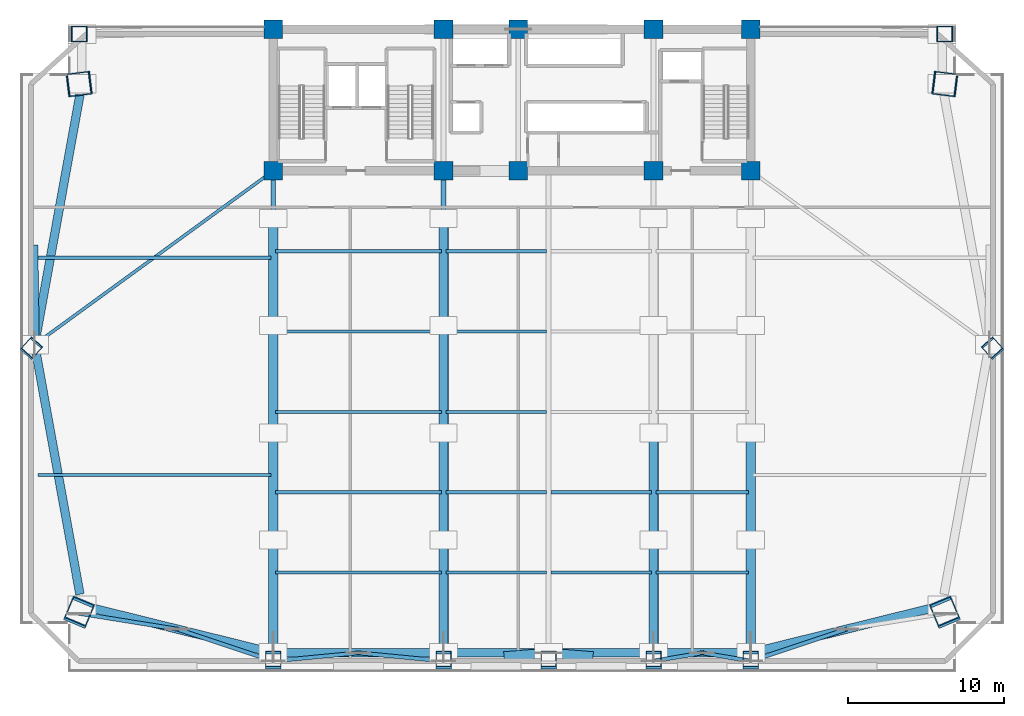
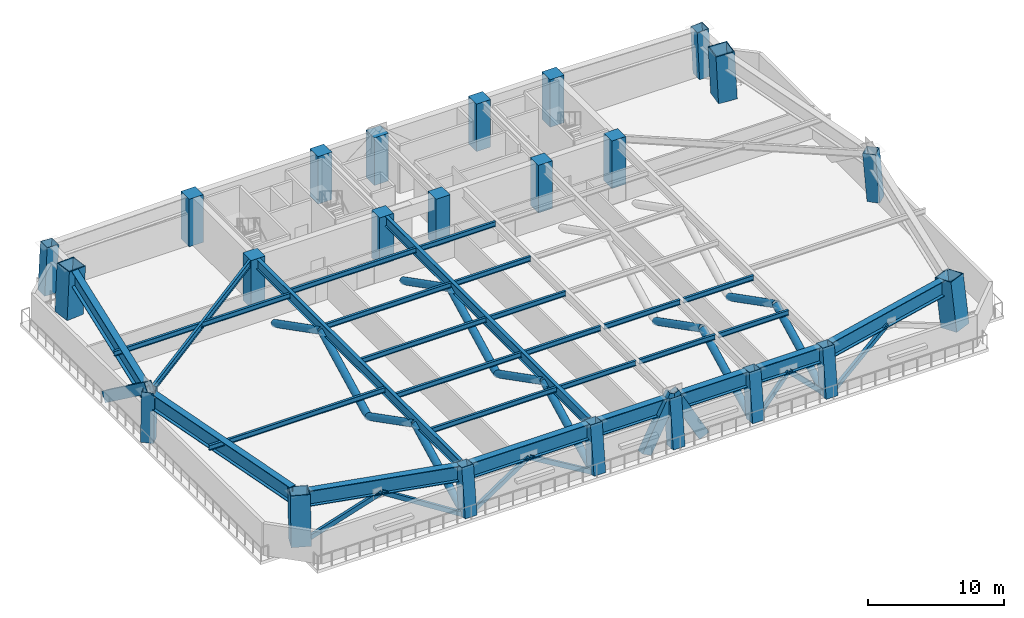
# One storey, part 1 of 10: 27 beams, 23 columns, 22 members.
"""IFC4 building model written with IfcOpenShell, lengths in metres."""

from ifc_helpers import new_model, si_unit, direction, frame, origin, origin_2d, place, context, subcontext, project, spatial, rectangle, hollow_rectangle, hollow_circle, i_section, extrude, source, transform, mapped, material, material_profile, profile_set, type_object, element, save


model = new_model("IFC4")

# Units and contexts
model_context = context("Model", 3, precision=1e-05, world=origin(), true_north=direction((0.0, 1.0)))
body_context = subcontext(model_context, "Body", "Model", "MODEL_VIEW")
ifc_project = project(units=[si_unit("LENGTHUNIT", "METRE"), si_unit("AREAUNIT", "SQUARE_METRE"), si_unit("VOLUMEUNIT", "CUBIC_METRE"), si_unit("PLANEANGLEUNIT", "RADIAN"), si_unit("MASSUNIT", "GRAM", prefix="KILO")], contexts=[model_context])

# Site, building, storey
site_placement = place(None, origin())
site = spatial("IfcSite", under=ifc_project, at=site_placement, CompositionType="ELEMENT")
building_placement = place(site_placement, origin())
building = spatial("IfcBuilding", under=site, at=building_placement, Name="Giltprow Tower", CompositionType="ELEMENT")
storey_placement = place(building_placement, frame((0.0, 0.0, 95.199951171875)))
storey = spatial("IfcBuildingStorey", under=building, at=storey_placement, Name="L23", CompositionType="ELEMENT", Elevation=95.199951171875)

# Columns
ifc_material_1 = material(Name="Concrete C60", Category="concrete")
ifc_material_profile_1 = material_profile(ifc_material_1, rectangle(XDim=1.199951171875, YDim=1.199951171875, at=origin_2d()), Name="RC 1200x1200")
ifc_profile_set_1 = profile_set([ifc_material_profile_1], Name="Concrete C60")
column_type_1 = type_object("IfcColumnType", Name="PIL-RC-1200-C60", PredefinedType="PILASTER", material=ifc_profile_set_1)
shared_shape_1 = source(origin(), body_context, "Body", "SweptSolid", [
    extrude(rectangle(XDim=1.199951171875, YDim=1.199951171875, at=origin_2d()), origin(), (0.0, 0.0, 1.0), 4.280029296875),
])
for number, where, z_axis, x_axis, name in (
    (1, (19.85009765625, 37.449951171875, 0.0), (0.0, 0.0, 1.0), (1.0, 0.0, 0.0), "L23 Core Boundary Pilaster 1-1"),
    (2, (19.85009765625, 46.550048828125, 0.0), (0.0, 0.0, 1.0), (1.0, 0.0, 0.0), "L23 Core Boundary Pilaster 1-2"),
    (3, (30.800048828125, 37.449951171875, 0.0), (0.0, 0.0, 1.0), (1.0, 0.0, 0.0), "L23 Core Boundary Pilaster 2-1"),
    (4, (30.800048828125, 46.550048828125, 0.0), (0.0, 0.0, 1.0), (1.0, 0.0, 0.0), "L23 Core Boundary Pilaster 2-2"),
    (5, (35.60009765625, 37.449951171875, 0.0), (0.0, 0.0, 1.0), (1.0, 0.0, 0.0), "L23 Core Boundary Pilaster 3-1"),
    (6, (35.60009765625, 46.550048828125, 0.0), (0.0, 0.0, 1.0), (1.0, 0.0, 0.0), "L23 Core Boundary Pilaster 3-2"),
    (7, (44.300048828125, 37.449951171875, 0.0), (0.0, 0.0, 1.0), (1.0, 0.0, 0.0), "L23 Core Boundary Pilaster 4-1"),
    (8, (44.300048828125, 46.550048828125, 0.0), (0.0, 0.0, 1.0), (1.0, 0.0, 0.0), "L23 Core Boundary Pilaster 4-2"),
    (9, (50.550048828125, 37.449951171875, 0.0), (0.0, 0.0, 1.0), (1.0, 0.0, 0.0), "L23 Core Boundary Pilaster 5-1"),
    (10, (50.550048828125, 46.550048828125, 0.0), (0.0, 0.0, 1.0), (1.0, 0.0, 0.0), "L23 Core Boundary Pilaster 5-2"),
):
    element("IfcColumn", number, at=place(storey_placement, frame(where, z_axis=z_axis, x_axis=x_axis)), inside=storey, type_object=column_type_1, Name=name, PredefinedType="PILASTER", context=body_context, shape_type="MappedRepresentation", body=[
        mapped(shared_shape_1, transform((0.0, 0.0, 0.0), x_axis=(1.0, 0.0, 0.0), y_axis=(0.0, 1.0, 0.0), z_axis=(0.0, 0.0, 1.0), scale=1.0)),
    ])
ifc_material_2 = material(Name="Structural steel Q420GJC", Category="steel")
ifc_material_profile_2 = material_profile(ifc_material_2, hollow_rectangle(XDim=1.5, YDim=1.5, WallThickness=0.070068359375, at=origin_2d()), Name="BOX 1500x1500x70")
ifc_profile_set_2 = profile_set([ifc_material_profile_2], Name="Structural steel Q420GJC")
column_type_2 = type_object("IfcColumnType", Name="COL-BOX-1500x1500x70", PredefinedType="COLUMN", material=ifc_profile_set_2)
shared_shape_2 = source(origin(), body_context, "Body", "SweptSolid", [
    extrude(hollow_rectangle(XDim=1.5, YDim=1.5, WallThickness=0.070068359375, at=origin_2d()), origin(), (0.0, 0.0, 1.0), 4.31396484375),
])
for number, where, z_axis, x_axis, name in (
    (11, (7.344970703125, 9.006103515625, 0.0), (0.048216791355, 0.115618432791, 0.992122733854), (-0.922956585384, 0.384904067913, 0.0), "L23 Mega-Column MC_SW"),
    (12, (63.055908203125, 9.006103515625, 0.0), (-0.048216791355, 0.115618432791, 0.992122733854), (-0.922956585384, -0.384904067913, 0.0), "L23 Mega-Column MC_SE"),
):
    element("IfcColumn", number, at=place(storey_placement, frame(where, z_axis=z_axis, x_axis=x_axis)), inside=storey, type_object=column_type_2, Name=name, PredefinedType="COLUMN", context=body_context, shape_type="MappedRepresentation", body=[
        mapped(shared_shape_2, transform((0.0, 0.0, 0.0), x_axis=(1.0, 0.0, 0.0), y_axis=(0.0, 1.0, 0.0), z_axis=(0.0, 0.0, 1.0), scale=1.0)),
    ])
shared_shape_3 = source(origin(), body_context, "Body", "SweptSolid", [
    extrude(hollow_rectangle(XDim=1.5, YDim=1.5, WallThickness=0.070068359375, at=origin_2d()), origin(), (0.0, 0.0, 1.0), 4.28515625),
])
for number, where, z_axis, x_axis, name in (
    (13, (7.344970703125, 43.030029296875, 0.0), (0.048541445478, 0.006039193921, 0.998802911594), (-0.123461308673, 0.992349386688, 0.0), "L23 Mega-Column MC_NW"),
    (14, (63.055908203125, 43.030029296875, 0.0), (-0.048541445478, 0.006039193921, 0.998802911594), (-0.123461308673, -0.992349386688, 0.0), "L23 Mega-Column MC_NE"),
):
    element("IfcColumn", number, at=place(storey_placement, frame(where, z_axis=z_axis, x_axis=x_axis)), inside=storey, type_object=column_type_2, Name=name, PredefinedType="COLUMN", context=body_context, shape_type="MappedRepresentation", body=[
        mapped(shared_shape_3, transform((0.0, 0.0, 0.0), x_axis=(1.0, 0.0, 0.0), y_axis=(0.0, 1.0, 0.0), z_axis=(0.0, 0.0, 1.0), scale=1.0)),
    ])
ifc_material_profile_3 = material_profile(ifc_material_2, hollow_rectangle(XDim=1.0, YDim=1.0, WallThickness=0.044921875, at=origin_2d()), Name="BOX 1000x1000x45")
ifc_profile_set_3 = profile_set([ifc_material_profile_3], Name="Structural steel Q420GJC")
column_type_3 = type_object("IfcColumnType", Name="COL-BOX-1000x1000x45", PredefinedType="COLUMN", material=ifc_profile_set_3)
shared_shape_4 = source(origin(), body_context, "Body", "SweptSolid", [
    extrude(hollow_rectangle(XDim=1.0, YDim=1.0, WallThickness=0.044921875, at=origin_2d()), origin(), (0.0, 0.0, 1.0), 4.312255859375),
])
for number, where, z_axis, x_axis, name in (
    (15, (19.85009765625, 5.93603515625, 0.0), (0.0, 0.121950990218, 0.992536123264), (-1.0, 0.0, 0.0), "L23 Perimeter Column S1"),
    (16, (30.800048828125, 5.93603515625, 0.0), (0.0, 0.121950990218, 0.992536123264), (-1.0, 0.0, 0.0), "L23 Perimeter Column S2"),
    (17, (37.550048828125, 5.93603515625, 0.0), (0.0, 0.121950990218, 0.992536123264), (-1.0, 0.0, 0.0), "L23 Perimeter Column S_MID"),
    (18, (44.300048828125, 5.93603515625, 0.0), (0.0, 0.121950990218, 0.992536123264), (-1.0, 0.0, 0.0), "L23 Perimeter Column S3"),
    (19, (50.550048828125, 5.93603515625, 0.0), (0.0, 0.121950990218, 0.992536123264), (-1.0, 0.0, 0.0), "L23 Perimeter Column S4"),
):
    element("IfcColumn", number, at=place(storey_placement, frame(where, z_axis=z_axis, x_axis=x_axis)), inside=storey, type_object=column_type_3, Name=name, PredefinedType="COLUMN", context=body_context, shape_type="MappedRepresentation", body=[
        mapped(shared_shape_4, transform((0.0, 0.0, 0.0), x_axis=(1.0, 0.0, 0.0), y_axis=(0.0, 1.0, 0.0), z_axis=(0.0, 0.0, 1.0), scale=1.0)),
    ])
shared_shape_5 = source(origin(), body_context, "Body", "SweptSolid", [
    extrude(hollow_rectangle(XDim=1.0, YDim=1.0, WallThickness=0.044921875, at=origin_2d()), origin(), (0.0, 0.0, 1.0), 4.29443359375),
])
for number, where, z_axis, x_axis, name in (
    (20, (4.27490234375, 26.01806640625, 0.0), (0.05474643508, 0.060999921954, 0.996635257939), (-0.744224602638, 0.667929443001, 0.0), "L23 Perimeter Column W_MID"),
    (21, (66.1259765625, 26.01806640625, 0.0), (-0.054689755324, 0.061000111708, 0.996638358199), (-0.744569440646, -0.667545015752, 0.0), "L23 Perimeter Column E_MID"),
):
    element("IfcColumn", number, at=place(storey_placement, frame(where, z_axis=z_axis, x_axis=x_axis)), inside=storey, type_object=column_type_3, Name=name, PredefinedType="COLUMN", context=body_context, shape_type="MappedRepresentation", body=[
        mapped(shared_shape_5, transform((0.0, 0.0, 0.0), x_axis=(1.0, 0.0, 0.0), y_axis=(0.0, 1.0, 0.0), z_axis=(0.0, 0.0, 1.0), scale=1.0)),
    ])
shared_shape_6 = source(origin(), body_context, "Body", "SweptSolid", [
    extrude(hollow_rectangle(XDim=1.0, YDim=1.0, WallThickness=0.044921875, at=origin_2d()), origin(), (0.0, 0.0, 1.0), 4.28515625),
])
for number, where, z_axis, x_axis, name in (
    (22, (7.344970703125, 46.25, 0.0), (0.048542330701, 0.0, 0.998821126193), (0.0, 1.0, 0.0), "L23 Perimeter Column N_W"),
    (23, (63.055908203125, 46.25, 0.0), (-0.048542330701, 0.0, 0.998821126193), (0.0, -1.0, 0.0), "L23 Perimeter Column N_E"),
):
    element("IfcColumn", number, at=place(storey_placement, frame(where, z_axis=z_axis, x_axis=x_axis)), inside=storey, type_object=column_type_3, Name=name, PredefinedType="COLUMN", context=body_context, shape_type="MappedRepresentation", body=[
        mapped(shared_shape_6, transform((0.0, 0.0, 0.0), x_axis=(1.0, 0.0, 0.0), y_axis=(0.0, 1.0, 0.0), z_axis=(0.0, 0.0, 1.0), scale=1.0)),
    ])

# Beams
ifc_material_profile_4 = material_profile(ifc_material_2, i_section(OverallWidth=0.550048828125, OverallDepth=1.39990234375, WebThickness=0.031982421875, FlangeThickness=0.050048828125, at=origin_2d()), Name="WH 1400x550x32x50")
ifc_profile_set_4 = profile_set([ifc_material_profile_4], Name="Structural steel Q420GJC")
beam_type_1 = type_object("IfcBeamType", Name="BM-XFER-WH1400", PredefinedType="BEAM", material=ifc_profile_set_4)
shared_shape_7 = source(origin(), body_context, "Body", "SweptSolid", [
    extrude(i_section(OverallWidth=0.550048828125, OverallDepth=1.39990234375, WebThickness=0.031982421875, FlangeThickness=0.050048828125, at=origin_2d()), origin(), (0.0, 0.0, 1.0), 9.97998046875),
])
beam_1_placement = place(storey_placement, frame((20.3349609375, 6.4619140625, 3.580078125), z_axis=(1.0, 0.0, 0.0), x_axis=(0.0, 1.0, 0.0)))
element("IfcBeam", 24, at=beam_1_placement, inside=storey, type_object=beam_type_1, Name="L23 Perimeter Spandrel Beam S1-S2", PredefinedType="BEAM", context=body_context, shape_type="MappedRepresentation", body=[
    mapped(shared_shape_7, transform((0.0, 0.0, 0.0), x_axis=(1.0, 0.0, 0.0), y_axis=(0.0, 1.0, 0.0), z_axis=(0.0, 0.0, 1.0), scale=1.0)),
])
shared_shape_8 = source(origin(), body_context, "Body", "SweptSolid", [
    extrude(i_section(OverallWidth=0.550048828125, OverallDepth=1.39990234375, WebThickness=0.031982421875, FlangeThickness=0.050048828125, at=origin_2d()), origin(), (0.0, 0.0, 1.0), 5.280029296875),
])
beam_2_placement = place(storey_placement, frame((44.784912109375, 6.4619140625, 3.580078125), z_axis=(1.0, 0.0, 0.0), x_axis=(0.0, 1.0, 0.0)))
element("IfcBeam", 25, at=beam_2_placement, inside=storey, type_object=beam_type_1, Name="L23 Perimeter Spandrel Beam S3-S4", PredefinedType="BEAM", context=body_context, shape_type="MappedRepresentation", body=[
    mapped(shared_shape_8, transform((0.0, 0.0, 0.0), x_axis=(1.0, 0.0, 0.0), y_axis=(0.0, 1.0, 0.0), z_axis=(0.0, 0.0, 1.0), scale=1.0)),
])
ifc_material_3 = material(Name="Structural steel Q355B", Category="steel")
ifc_material_profile_5 = material_profile(ifc_material_3, i_section(OverallWidth=0.199951171875, OverallDepth=0.449951171875, WebThickness=0.009033203125, FlangeThickness=0.013916015625, at=origin_2d()), Name="HN 450x200x9x14")
ifc_profile_set_5 = profile_set([ifc_material_profile_5], Name="Structural steel Q355B")
beam_type_2 = type_object("IfcBeamType", Name="BM-JOIST-HN450", PredefinedType="JOIST", material=ifc_profile_set_5)
shared_shape_9 = source(origin(), body_context, "Body", "SweptSolid", [
    extrude(i_section(OverallWidth=0.199951171875, OverallDepth=0.449951171875, WebThickness=0.009033203125, FlangeThickness=0.013916015625, at=origin_2d()), origin(), (0.0, 0.0, 1.0), 10.659912109375),
])
for number, where, z_axis, x_axis, name in (
    (26, (19.9951171875, 11.626953125, 4.054931640625), (1.0, 0.0, 0.0), (0.0, 1.0, 0.0), "L23 Composite Floor Joist 1-1"),
    (27, (19.9951171875, 16.791015625, 4.054931640625), (1.0, 0.0, 0.0), (0.0, 1.0, 0.0), "L23 Composite Floor Joist 2-1"),
    (28, (19.9951171875, 21.9560546875, 4.054931640625), (1.0, 0.0, 0.0), (0.0, 1.0, 0.0), "L23 Composite Floor Joist 3-1"),
    (29, (19.9951171875, 27.12109375, 4.054931640625), (1.0, 0.0, 0.0), (0.0, 1.0, 0.0), "L23 Composite Floor Joist 4-1"),
    (30, (19.9951171875, 32.284912109375, 4.054931640625), (1.0, 0.0, 0.0), (0.0, 1.0, 0.0), "L23 Composite Floor Joist 5-1"),
):
    element("IfcBeam", number, at=place(storey_placement, frame(where, z_axis=z_axis, x_axis=x_axis)), inside=storey, type_object=beam_type_2, Name=name, PredefinedType="JOIST", context=body_context, shape_type="MappedRepresentation", body=[
        mapped(shared_shape_9, transform((0.0, 0.0, 0.0), x_axis=(1.0, 0.0, 0.0), y_axis=(0.0, 1.0, 0.0), z_axis=(0.0, 0.0, 1.0), scale=1.0)),
    ])
shared_shape_10 = source(origin(), body_context, "Body", "SweptSolid", [
    extrude(i_section(OverallWidth=0.199951171875, OverallDepth=0.449951171875, WebThickness=0.009033203125, FlangeThickness=0.013916015625, at=origin_2d()), origin(), (0.0, 0.0, 1.0), 6.4599609375),
])
for number, where, z_axis, x_axis, name in (
    (31, (30.945068359375, 11.626953125, 4.054931640625), (1.0, 0.0, 0.0), (0.0, 1.0, 0.0), "L23 Composite Floor Joist 1-2"),
    (32, (37.695068359375, 11.626953125, 4.054931640625), (1.0, 0.0, 0.0), (0.0, 1.0, 0.0), "L23 Composite Floor Joist 1-3"),
    (33, (30.945068359375, 16.791015625, 4.054931640625), (1.0, 0.0, 0.0), (0.0, 1.0, 0.0), "L23 Composite Floor Joist 2-2"),
    (34, (37.695068359375, 16.791015625, 4.054931640625), (1.0, 0.0, 0.0), (0.0, 1.0, 0.0), "L23 Composite Floor Joist 2-3"),
    (35, (30.945068359375, 21.9560546875, 4.054931640625), (1.0, 0.0, 0.0), (0.0, 1.0, 0.0), "L23 Composite Floor Joist 3-2"),
    (36, (30.945068359375, 27.12109375, 4.054931640625), (1.0, 0.0, 0.0), (0.0, 1.0, 0.0), "L23 Composite Floor Joist 4-2"),
    (37, (30.945068359375, 32.284912109375, 4.054931640625), (1.0, 0.0, 0.0), (0.0, 1.0, 0.0), "L23 Composite Floor Joist 5-2"),
):
    element("IfcBeam", number, at=place(storey_placement, frame(where, z_axis=z_axis, x_axis=x_axis)), inside=storey, type_object=beam_type_2, Name=name, PredefinedType="JOIST", context=body_context, shape_type="MappedRepresentation", body=[
        mapped(shared_shape_10, transform((0.0, 0.0, 0.0), x_axis=(1.0, 0.0, 0.0), y_axis=(0.0, 1.0, 0.0), z_axis=(0.0, 0.0, 1.0), scale=1.0)),
    ])
shared_shape_11 = source(origin(), body_context, "Body", "SweptSolid", [
    extrude(i_section(OverallWidth=0.199951171875, OverallDepth=0.449951171875, WebThickness=0.009033203125, FlangeThickness=0.013916015625, at=origin_2d()), origin(), (0.0, 0.0, 1.0), 5.9599609375),
])
for number, where, z_axis, x_axis, name in (
    (38, (44.445068359375, 11.626953125, 4.054931640625), (1.0, 0.0, 0.0), (0.0, 1.0, 0.0), "L23 Composite Floor Joist 1-4"),
    (39, (44.445068359375, 16.791015625, 4.054931640625), (1.0, 0.0, 0.0), (0.0, 1.0, 0.0), "L23 Composite Floor Joist 2-4"),
):
    element("IfcBeam", number, at=place(storey_placement, frame(where, z_axis=z_axis, x_axis=x_axis)), inside=storey, type_object=beam_type_2, Name=name, PredefinedType="JOIST", context=body_context, shape_type="MappedRepresentation", body=[
        mapped(shared_shape_11, transform((0.0, 0.0, 0.0), x_axis=(1.0, 0.0, 0.0), y_axis=(0.0, 1.0, 0.0), z_axis=(0.0, 0.0, 1.0), scale=1.0)),
    ])
shared_shape_12 = source(origin(), body_context, "Body", "SweptSolid", [
    extrude(i_section(OverallWidth=0.550048828125, OverallDepth=1.39990234375, WebThickness=0.031982421875, FlangeThickness=0.050048828125, at=origin_2d()), origin(), (0.0, 0.0, 1.0), 11.44775390625),
])
beam_3_placement = place(storey_placement, frame((8.26611328125, 9.327880859375, 3.580078125), z_axis=(0.970744156916, -0.240116183987, 0.0), x_axis=(0.240116183987, 0.970744156916, 0.0)))
element("IfcBeam", 40, at=beam_3_placement, inside=storey, type_object=beam_type_1, Name="L23 Perimeter Spandrel Beam MC_SW-S1", PredefinedType="BEAM", context=body_context, shape_type="MappedRepresentation", body=[
    mapped(shared_shape_12, transform((0.0, 0.0, 0.0), x_axis=(1.0, 0.0, 0.0), y_axis=(0.0, 1.0, 0.0), z_axis=(0.0, 0.0, 1.0), scale=1.0)),
])
shared_shape_13 = source(origin(), body_context, "Body", "SweptSolid", [
    extrude(i_section(OverallWidth=0.550048828125, OverallDepth=1.39990234375, WebThickness=0.031982421875, FlangeThickness=0.050048828125, at=origin_2d()), origin(), (0.0, 0.0, 1.0), 5.780029296875),
])
for number, where, z_axis, x_axis, name in (
    (41, (31.284912109375, 6.4619140625, 3.580078125), (1.0, 0.0, 0.0), (0.0, 1.0, 0.0), "L23 Perimeter Spandrel Beam S2-S_MID"),
    (42, (38.034912109375, 6.4619140625, 3.580078125), (1.0, 0.0, 0.0), (0.0, 1.0, 0.0), "L23 Perimeter Spandrel Beam S_MID-S3"),
):
    element("IfcBeam", number, at=place(storey_placement, frame(where, z_axis=z_axis, x_axis=x_axis)), inside=storey, type_object=beam_type_1, Name=name, PredefinedType="BEAM", context=body_context, shape_type="MappedRepresentation", body=[
        mapped(shared_shape_13, transform((0.0, 0.0, 0.0), x_axis=(1.0, 0.0, 0.0), y_axis=(0.0, 1.0, 0.0), z_axis=(0.0, 0.0, 1.0), scale=1.0)),
    ])
shared_shape_14 = source(origin(), body_context, "Body", "SweptSolid", [
    extrude(i_section(OverallWidth=0.550048828125, OverallDepth=1.39990234375, WebThickness=0.031982421875, FlangeThickness=0.050048828125, at=origin_2d()), origin(), (0.0, 0.0, 1.0), 11.44921875),
])
beam_4_placement = place(storey_placement, frame((51.02099609375, 6.577880859375, 3.580078125), z_axis=(0.970725449162, 0.24019180325, 0.0), x_axis=(-0.24019180325, 0.970725449162, 0.0)))
element("IfcBeam", 43, at=beam_4_placement, inside=storey, type_object=beam_type_1, Name="L23 Perimeter Spandrel Beam S4-MC_SE", PredefinedType="BEAM", context=body_context, shape_type="MappedRepresentation", body=[
    mapped(shared_shape_14, transform((0.0, 0.0, 0.0), x_axis=(1.0, 0.0, 0.0), y_axis=(0.0, 1.0, 0.0), z_axis=(0.0, 0.0, 1.0), scale=1.0)),
])
shared_shape_15 = source(origin(), body_context, "Body", "SweptSolid", [
    extrude(i_section(OverallWidth=0.550048828125, OverallDepth=1.39990234375, WebThickness=0.031982421875, FlangeThickness=0.050048828125, at=origin_2d()), origin(), (0.0, 0.0, 1.0), 15.8291015625),
])
beam_5_placement = place(storey_placement, frame((4.596923828125, 25.802978515625, 3.580078125), z_axis=(0.178480956733, -0.983943366299, 0.0), x_axis=(0.983943366299, 0.178480956733, 0.0)))
element("IfcBeam", 44, at=beam_5_placement, inside=storey, type_object=beam_type_1, Name="L23 Perimeter Spandrel Beam W_MID-MC_SW", PredefinedType="BEAM", context=body_context, shape_type="MappedRepresentation", body=[
    mapped(shared_shape_15, transform((0.0, 0.0, 0.0), x_axis=(1.0, 0.0, 0.0), y_axis=(0.0, 1.0, 0.0), z_axis=(0.0, 0.0, 1.0), scale=1.0)),
])
shared_shape_16 = source(origin(), body_context, "Body", "SweptSolid", [
    extrude(i_section(OverallWidth=0.550048828125, OverallDepth=1.39990234375, WebThickness=0.031982421875, FlangeThickness=0.050048828125, at=origin_2d()), origin(), (0.0, 0.0, 1.0), 15.830078125),
])
beam_6_placement = place(storey_placement, frame((7.422119140625, 42.3330078125, 3.580078125), z_axis=(-0.178470122966, -0.983945331413, 0.0), x_axis=(0.983945331413, -0.178470122966, 0.0)))
element("IfcBeam", 45, at=beam_6_placement, inside=storey, type_object=beam_type_1, Name="L23 Perimeter Spandrel Beam MC_NW-W_MID", PredefinedType="BEAM", context=body_context, shape_type="MappedRepresentation", body=[
    mapped(shared_shape_16, transform((0.0, 0.0, 0.0), x_axis=(1.0, 0.0, 0.0), y_axis=(0.0, 1.0, 0.0), z_axis=(0.0, 0.0, 1.0), scale=1.0)),
])
ifc_material_profile_6 = material_profile(ifc_material_3, i_section(OverallWidth=0.300048828125, OverallDepth=0.89990234375, WebThickness=0.01611328125, FlangeThickness=0.028076171875, at=origin_2d()), Name="HN 900x300x16x28")
ifc_profile_set_6 = profile_set([ifc_material_profile_6], Name="Structural steel Q355B")
beam_type_3 = type_object("IfcBeamType", Name="BM-GIRD-HN900", PredefinedType="BEAM", material=ifc_profile_set_6)
shared_shape_17 = source(origin(), body_context, "Body", "SweptSolid", [
    extrude(i_section(OverallWidth=0.300048828125, OverallDepth=0.89990234375, WebThickness=0.01611328125, FlangeThickness=0.028076171875, at=origin_2d()), origin(), (0.0, 0.0, 1.0), 29.91796875),
])
for number, where, z_axis, x_axis, name in (
    (46, (19.85009765625, 6.947021484375, 3.830078125), (0.0, 1.0, 0.0), (-1.0, 0.0, 0.0), "L23 Primary Lease Girder S1"),
    (47, (30.800048828125, 6.947021484375, 3.830078125), (0.0, 1.0, 0.0), (-1.0, 0.0, 0.0), "L23 Primary Lease Girder S2"),
):
    element("IfcBeam", number, at=place(storey_placement, frame(where, z_axis=z_axis, x_axis=x_axis)), inside=storey, type_object=beam_type_3, Name=name, PredefinedType="BEAM", context=body_context, shape_type="MappedRepresentation", body=[
        mapped(shared_shape_17, transform((0.0, 0.0, 0.0), x_axis=(1.0, 0.0, 0.0), y_axis=(0.0, 1.0, 0.0), z_axis=(0.0, 0.0, 1.0), scale=1.0)),
    ])
ifc_material_profile_7 = material_profile(ifc_material_3, i_section(OverallWidth=0.199951171875, OverallDepth=0.60009765625, WebThickness=0.010986328125, FlangeThickness=0.01708984375, at=origin_2d()), Name="HN 600x200x11x17")
ifc_profile_set_7 = profile_set([ifc_material_profile_7], Name="Structural steel Q355B")
beam_type_4 = type_object("IfcBeamType", Name="BM-GIRD-HN600", PredefinedType="BEAM", material=ifc_profile_set_7)
shared_shape_18 = source(origin(), body_context, "Body", "SweptSolid", [
    extrude(i_section(OverallWidth=0.199951171875, OverallDepth=0.60009765625, WebThickness=0.010986328125, FlangeThickness=0.01708984375, at=origin_2d()), origin(), (0.0, 0.0, 1.0), 17.90625),
])
beam_7_placement = place(storey_placement, frame((4.902099609375, 26.56494140625, 3.97998046875), z_axis=(0.808368019263, 0.588677454497, 0.0), x_axis=(-0.588677454497, 0.808368019263, 0.0)))
element("IfcBeam", 48, at=beam_7_placement, inside=storey, type_object=beam_type_4, Name="L23 West Wing Primary Girder", PredefinedType="BEAM", context=body_context, shape_type="MappedRepresentation", body=[
    mapped(shared_shape_18, transform((0.0, 0.0, 0.0), x_axis=(1.0, 0.0, 0.0), y_axis=(0.0, 1.0, 0.0), z_axis=(0.0, 0.0, 1.0), scale=1.0)),
])
shared_shape_19 = source(origin(), body_context, "Body", "SweptSolid", [
    extrude(i_section(OverallWidth=0.199951171875, OverallDepth=0.449951171875, WebThickness=0.009033203125, FlangeThickness=0.013916015625, at=origin_2d()), origin(), (0.0, 0.0, 1.0), 14.97509765625),
])
for number, where, z_axis, x_axis, name in (
    (49, (4.72998046875, 17.89306640625, 4.054931640625), (1.0, 0.0, 0.0), (0.0, 1.0, 0.0), "L23 West Wing Floor Joist 1"),
    (50, (4.72998046875, 31.864990234375, 4.054931640625), (1.0, 0.0, 0.0), (0.0, 1.0, 0.0), "L23 West Wing Floor Joist 2"),
):
    element("IfcBeam", number, at=place(storey_placement, frame(where, z_axis=z_axis, x_axis=x_axis)), inside=storey, type_object=beam_type_2, Name=name, PredefinedType="JOIST", context=body_context, shape_type="MappedRepresentation", body=[
        mapped(shared_shape_19, transform((0.0, 0.0, 0.0), x_axis=(1.0, 0.0, 0.0), y_axis=(0.0, 1.0, 0.0), z_axis=(0.0, 0.0, 1.0), scale=1.0)),
    ])

# Members
ifc_material_profile_8 = material_profile(ifc_material_2, hollow_circle(Radius=0.304931640625, WallThickness=0.028076171875, at=origin_2d()), Name="CHS 610x28")
ifc_profile_set_8 = profile_set([ifc_material_profile_8], Name="Structural steel Q420GJC")
member_type_1 = type_object("IfcMemberType", Name="MBR-OUTR-CHS610", PredefinedType="BRACE", material=ifc_profile_set_8)
shared_shape_20 = source(origin(), body_context, "Body", "SweptSolid", [
    extrude(hollow_circle(Radius=0.304931640625, WallThickness=0.028076171875, at=origin_2d()), origin(), (0.0, 0.0, 1.0), 7.752197265625),
])
for number, where, z_axis, x_axis, name in (
    (51, (19.85009765625, 6.81201171875, -0.079833984375), (0.0, 0.889666262579, 0.456611367828), (-1.0, 0.0, 0.0), "L23 Outrigger Truss Diagonal S1-1"),
    (52, (19.85009765625, 13.708984375, 3.4599609375), (0.0, 0.889666262579, -0.456611367828), (-1.0, 0.0, 0.0), "L23 Outrigger Truss Diagonal S1-2"),
    (53, (19.85009765625, 20.60595703125, -0.079833984375), (0.0, 0.889666262579, 0.456611367828), (-1.0, 0.0, 0.0), "L23 Outrigger Truss Diagonal S1-3"),
    (54, (19.85009765625, 27.5029296875, 3.4599609375), (0.0, 0.889666262579, -0.456611367828), (-1.0, 0.0, 0.0), "L23 Outrigger Truss Diagonal S1-4"),
    (55, (30.800048828125, 6.81201171875, -0.079833984375), (0.0, 0.889666262579, 0.456611367828), (-1.0, 0.0, 0.0), "L23 Outrigger Truss Diagonal S2-1"),
    (56, (30.800048828125, 13.708984375, 3.4599609375), (0.0, 0.889666262579, -0.456611367828), (-1.0, 0.0, 0.0), "L23 Outrigger Truss Diagonal S2-2"),
    (57, (30.800048828125, 20.60595703125, -0.079833984375), (0.0, 0.889666262579, 0.456611367828), (-1.0, 0.0, 0.0), "L23 Outrigger Truss Diagonal S2-3"),
    (58, (30.800048828125, 27.5029296875, 3.4599609375), (0.0, 0.889666262579, -0.456611367828), (-1.0, 0.0, 0.0), "L23 Outrigger Truss Diagonal S2-4"),
    (59, (44.300048828125, 6.81201171875, -0.079833984375), (0.0, 0.889666262579, 0.456611367828), (-1.0, 0.0, 0.0), "L23 Outrigger Truss Diagonal S3-1"),
    (60, (44.300048828125, 13.708984375, 3.4599609375), (0.0, 0.889666262579, -0.456611367828), (-1.0, 0.0, 0.0), "L23 Outrigger Truss Diagonal S3-2"),
    (61, (50.550048828125, 6.81201171875, -0.079833984375), (0.0, 0.889666262579, 0.456611367828), (-1.0, 0.0, 0.0), "L23 Outrigger Truss Diagonal S4-1"),
    (62, (50.550048828125, 13.708984375, 3.4599609375), (0.0, 0.889666262579, -0.456611367828), (-1.0, 0.0, 0.0), "L23 Outrigger Truss Diagonal S4-2"),
):
    element("IfcMember", number, at=place(storey_placement, frame(where, z_axis=z_axis, x_axis=x_axis)), inside=storey, type_object=member_type_1, Name=name, PredefinedType="BRACE", context=body_context, shape_type="MappedRepresentation", body=[
        mapped(shared_shape_20, transform((0.0, 0.0, 0.0), x_axis=(1.0, 0.0, 0.0), y_axis=(0.0, 1.0, 0.0), z_axis=(0.0, 0.0, 1.0), scale=1.0)),
    ])
ifc_material_profile_9 = material_profile(ifc_material_2, hollow_rectangle(XDim=0.25, YDim=0.39990234375, WallThickness=0.01806640625, at=origin_2d()), Name="RHS 400x250x18")
ifc_profile_set_9 = profile_set([ifc_material_profile_9], Name="Structural steel Q420GJC")
member_type_2 = type_object("IfcMemberType", Name="MBR-BELT-RHS400", PredefinedType="CHORD", material=ifc_profile_set_9)
shared_shape_21 = source(origin(), body_context, "Body", "SweptSolid", [
    extrude(hollow_rectangle(XDim=0.25, YDim=0.39990234375, WallThickness=0.01806640625, at=origin_2d()), origin(), (0.0, 0.0, 1.0), 7.1201171875),
])
member_1_placement = place(storey_placement, frame((7.344970703125, 9.006103515625, -0.079833984375), z_axis=(0.89281467479, -0.143567671993, 0.426931235725), x_axis=(0.15876390305, 0.987316576934, 0.0)))
element("IfcMember", 63, at=member_1_placement, inside=storey, type_object=member_type_2, Name="L23 Belt-Truss Diagonal 1-1", PredefinedType="CHORD", context=body_context, shape_type="MappedRepresentation", body=[
    mapped(shared_shape_21, transform((0.0, 0.0, 0.0), x_axis=(1.0, 0.0, 0.0), y_axis=(0.0, 1.0, 0.0), z_axis=(0.0, 0.0, 1.0), scale=1.0)),
])
shared_shape_22 = source(origin(), body_context, "Body", "SweptSolid", [
    extrude(hollow_rectangle(XDim=0.25, YDim=0.39990234375, WallThickness=0.01806640625, at=origin_2d()), origin(), (0.0, 0.0, 1.0), 7.15771484375),
])
member_2_placement = place(storey_placement, frame((19.85009765625, 5.93603515625, -0.079833984375), z_axis=(-0.858948219173, 0.286100054101, 0.424681899572), x_axis=(-0.316013013736, -0.948754855139, 0.0)))
element("IfcMember", 64, at=member_2_placement, inside=storey, type_object=member_type_2, Name="L23 Belt-Truss Diagonal 1-2", PredefinedType="CHORD", context=body_context, shape_type="MappedRepresentation", body=[
    mapped(shared_shape_22, transform((0.0, 0.0, 0.0), x_axis=(1.0, 0.0, 0.0), y_axis=(0.0, 1.0, 0.0), z_axis=(0.0, 0.0, 1.0), scale=1.0)),
])
shared_shape_23 = source(origin(), body_context, "Body", "SweptSolid", [
    extrude(hollow_rectangle(XDim=0.25, YDim=0.39990234375, WallThickness=0.01806640625, at=origin_2d()), origin(), (0.0, 0.0, 1.0), 6.2841796875),
])
member_3_placement = place(storey_placement, frame((19.85009765625, 5.93603515625, -0.079833984375), z_axis=(0.871212027851, 0.083682974715, 0.483721781885), x_axis=(-0.095613446341, 0.995418539549, 0.0)))
element("IfcMember", 65, at=member_3_placement, inside=storey, type_object=member_type_2, Name="L23 Belt-Truss Diagonal 2-1", PredefinedType="CHORD", context=body_context, shape_type="MappedRepresentation", body=[
    mapped(shared_shape_23, transform((0.0, 0.0, 0.0), x_axis=(1.0, 0.0, 0.0), y_axis=(0.0, 1.0, 0.0), z_axis=(0.0, 0.0, 1.0), scale=1.0)),
])
shared_shape_24 = source(origin(), body_context, "Body", "SweptSolid", [
    extrude(hollow_rectangle(XDim=0.25, YDim=0.39990234375, WallThickness=0.01806640625, at=origin_2d()), origin(), (0.0, 0.0, 1.0), 6.284423828125),
])
member_4_placement = place(storey_placement, frame((30.800048828125, 5.93603515625, -0.079833984375), z_axis=(-0.87122138983, 0.08368014241, 0.483705410005), x_axis=(-0.095609221806, -0.995418945322, 0.0)))
element("IfcMember", 66, at=member_4_placement, inside=storey, type_object=member_type_2, Name="L23 Belt-Truss Diagonal 2-2", PredefinedType="CHORD", context=body_context, shape_type="MappedRepresentation", body=[
    mapped(shared_shape_24, transform((0.0, 0.0, 0.0), x_axis=(1.0, 0.0, 0.0), y_axis=(0.0, 1.0, 0.0), z_axis=(0.0, 0.0, 1.0), scale=1.0)),
])
shared_shape_25 = source(origin(), body_context, "Body", "SweptSolid", [
    extrude(hollow_rectangle(XDim=0.25, YDim=0.39990234375, WallThickness=0.01806640625, at=origin_2d()), origin(), (0.0, 0.0, 1.0), 4.39111328125),
])
for number, where, z_axis, x_axis, name in (
    (67, (44.300048828125, 5.93603515625, -0.079833984375), (0.711652615704, 0.119757791736, 0.692248962354), (-0.16594794857, 0.986134513322, 0.0), "L23 Belt-Truss Diagonal 3-1"),
    (68, (50.550048828125, 5.93603515625, -0.079833984375), (-0.711652615704, 0.119757791736, 0.692248962354), (-0.16594794857, -0.986134513322, 0.0), "L23 Belt-Truss Diagonal 3-2"),
):
    element("IfcMember", number, at=place(storey_placement, frame(where, z_axis=z_axis, x_axis=x_axis)), inside=storey, type_object=member_type_2, Name=name, PredefinedType="CHORD", context=body_context, shape_type="MappedRepresentation", body=[
        mapped(shared_shape_25, transform((0.0, 0.0, 0.0), x_axis=(1.0, 0.0, 0.0), y_axis=(0.0, 1.0, 0.0), z_axis=(0.0, 0.0, 1.0), scale=1.0)),
    ])
shared_shape_26 = source(origin(), body_context, "Body", "SweptSolid", [
    extrude(hollow_rectangle(XDim=0.25, YDim=0.39990234375, WallThickness=0.01806640625, at=origin_2d()), origin(), (0.0, 0.0, 1.0), 7.158447265625),
])
member_5_placement = place(storey_placement, frame((50.550048828125, 5.93603515625, -0.079833984375), z_axis=(0.858975046004, 0.286074910104, 0.424644576265), x_axis=(-0.315979130662, 0.948766140303, 0.0)))
element("IfcMember", 69, at=member_5_placement, inside=storey, type_object=member_type_2, Name="L23 Belt-Truss Diagonal 4-1", PredefinedType="CHORD", context=body_context, shape_type="MappedRepresentation", body=[
    mapped(shared_shape_26, transform((0.0, 0.0, 0.0), x_axis=(1.0, 0.0, 0.0), y_axis=(0.0, 1.0, 0.0), z_axis=(0.0, 0.0, 1.0), scale=1.0)),
])
ifc_material_profile_10 = material_profile(ifc_material_2, hollow_rectangle(XDim=0.60009765625, YDim=0.89990234375, WallThickness=0.0400390625, at=origin_2d()), Name="RHS 900x600x40")
ifc_profile_set_10 = profile_set([ifc_material_profile_10], Name="Structural steel Q420GJC")
member_type_3 = type_object("IfcMemberType", Name="MBR-MEGA-RHS900", PredefinedType="BRACE", material=ifc_profile_set_10)
shared_shape_27 = source(origin(), body_context, "Body", "SweptSolid", [
    extrude(hollow_rectangle(XDim=0.60009765625, YDim=0.89990234375, WallThickness=0.0400390625, at=origin_2d()), origin(), (0.0, 0.0, 1.0), 5.136962890625),
])
for number, where, z_axis, x_axis, name in (
    (70, (35.080078125, 6.27001953125, 0.0), (0.480830524945, 0.037356211585, 0.876017419768), (-0.077457603868, 0.996995646732, 0.0), "L23 Chevron Mega-Brace S-L"),
    (71, (40.02001953125, 6.27001953125, 0.0), (-0.480830524945, 0.037356211585, 0.876017419768), (-0.077457603868, -0.996995646732, 0.0), "L23 Chevron Mega-Brace S-R"),
):
    element("IfcMember", number, at=place(storey_placement, frame(where, z_axis=z_axis, x_axis=x_axis)), inside=storey, type_object=member_type_3, Name=name, PredefinedType="BRACE", context=body_context, shape_type="MappedRepresentation", body=[
        mapped(shared_shape_27, transform((0.0, 0.0, 0.0), x_axis=(1.0, 0.0, 0.0), y_axis=(0.0, 1.0, 0.0), z_axis=(0.0, 0.0, 1.0), scale=1.0)),
    ])
shared_shape_28 = source(origin(), body_context, "Body", "SweptSolid", [
    extrude(hollow_rectangle(XDim=0.60009765625, YDim=0.89990234375, WallThickness=0.0400390625, at=origin_2d()), origin(), (0.0, 0.0, 1.0), 7.603271484375),
])
member_6_placement = place(storey_placement, frame((4.424072265625, 32.407958984375, 0.0), z_axis=(0.011302781562, -0.805965389813, 0.591854743627), x_axis=(0.999901679555, 0.014022525546, 0.0)))
element("IfcMember", 72, at=member_6_placement, inside=storey, type_object=member_type_3, Name="L23 Chevron Mega-Brace W-R", PredefinedType="BRACE", context=body_context, shape_type="MappedRepresentation", body=[
    mapped(shared_shape_28, transform((0.0, 0.0, 0.0), x_axis=(1.0, 0.0, 0.0), y_axis=(0.0, 1.0, 0.0), z_axis=(0.0, 0.0, 1.0), scale=1.0)),
])

save(model, "model.ifc")
